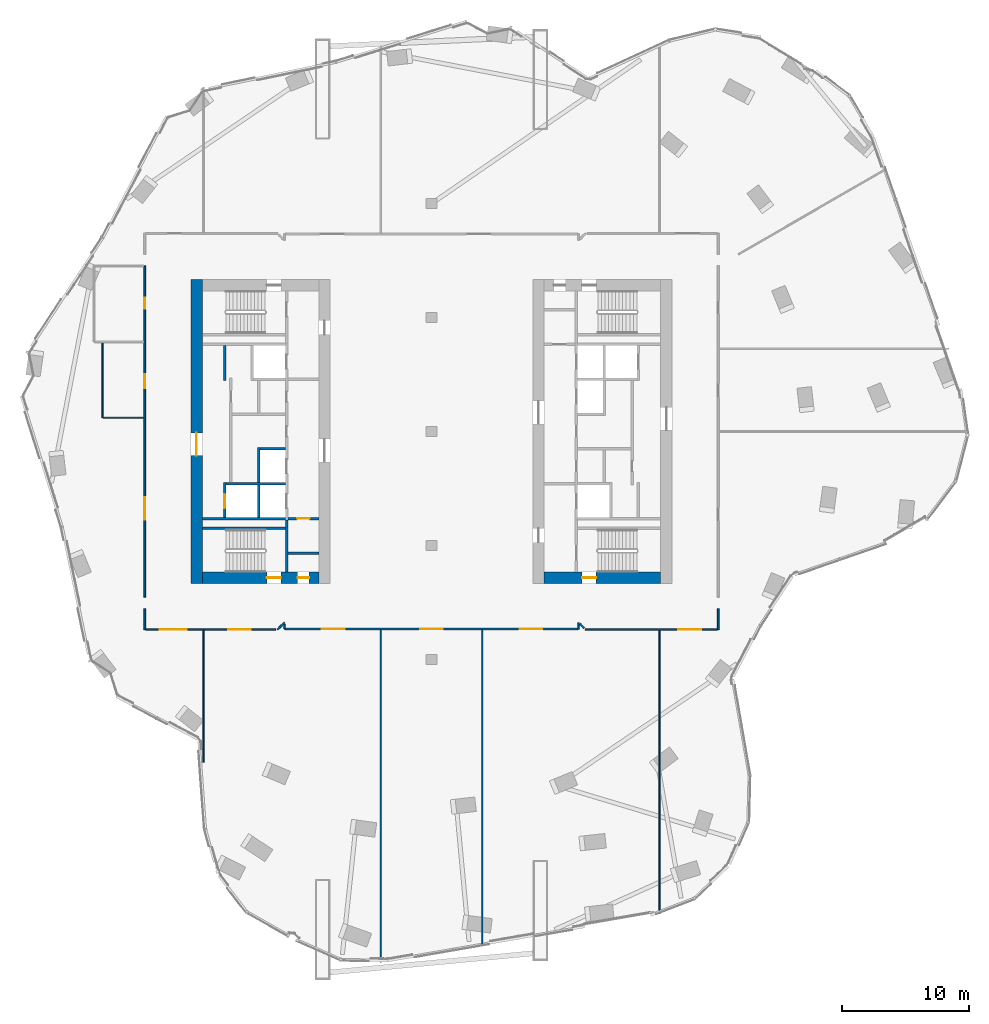
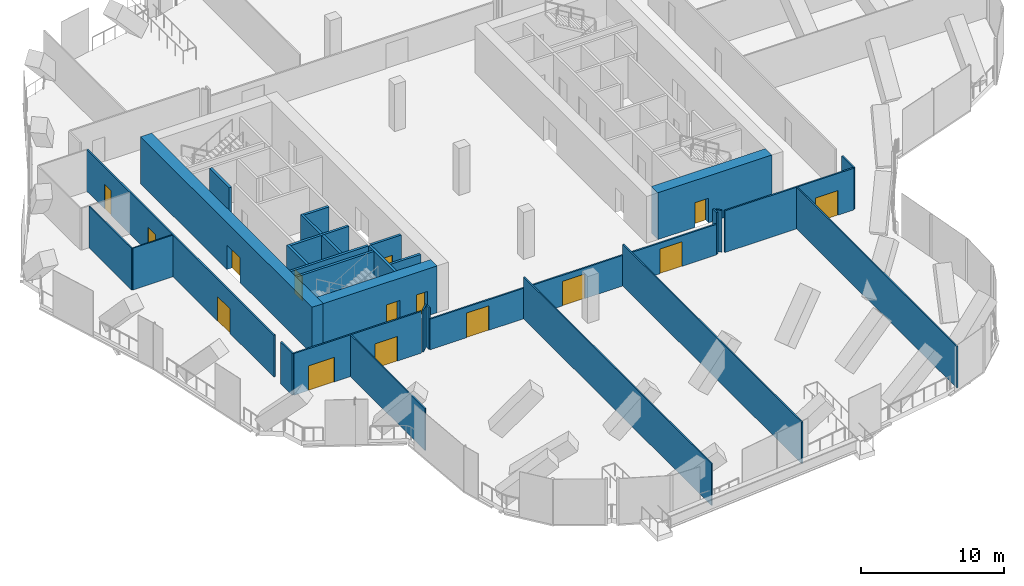
# One storey, part 18 of 26: 30 walls, 15 doors, 15 openings.
"""IFC4 building model written with IfcOpenShell, lengths in metres."""

from ifc_helpers import new_model, si_unit, direction, frame, frame_2d, origin, place, context, subcontext, project, spatial, rectangle, extrude, material, layer, layer_set, type_object, element, fill, save


model = new_model("IFC4")

# Units and contexts
model_context = context("Model", 3, precision=1e-05, world=origin(), true_north=direction((0.0, 1.0)))
body_context = subcontext(model_context, "Body", "Model", "MODEL_VIEW")
ifc_project = project(units=[si_unit("LENGTHUNIT", "METRE"), si_unit("AREAUNIT", "SQUARE_METRE"), si_unit("VOLUMEUNIT", "CUBIC_METRE"), si_unit("PLANEANGLEUNIT", "RADIAN"), si_unit("MASSUNIT", "GRAM", prefix="KILO")], contexts=[model_context])

# Site, building, storey
site_placement = place(None, origin())
site = spatial("IfcSite", under=ifc_project, at=site_placement, CompositionType="ELEMENT")
building_placement = place(site_placement, origin())
building = spatial("IfcBuilding", under=site, at=building_placement, Name="Orlundy Tower", CompositionType="ELEMENT")
storey_placement = place(building_placement, frame((0.0, 0.0, 249.5)))
storey = spatial("IfcBuildingStorey", under=building, at=storey_placement, Name="L66", CompositionType="ELEMENT", Elevation=249.5)

# Wall, openings, doors
ifc_material_1 = material(Name="Concrete C60/75", Category="concrete")
ifc_layer_1 = layer(ifc_material_1, 0.89990234375)
ifc_layer_set_1 = layer_set([ifc_layer_1], Name="CORE WALL 900 C60/75")
wall_type_1 = type_object("IfcWallType", Name="CORE WALL 900 C60/75", PredefinedType="SHEAR", material=ifc_layer_set_1)
wall_1_placement = place(storey_placement, frame((-18.10009765625, -11.550048828125, 0.0), z_axis=(0.0, 0.0, 1.0), x_axis=(1.0, 0.0, 0.0)))
wall_1 = element("IfcWall", 1, at=wall_1_placement, inside=storey, type_object=wall_type_1, Name="Core wall W-S L66", PredefinedType="SHEAR", context=body_context, shape_type="SweptSolid", body=[
    extrude(rectangle(XDim=9.2001953125, YDim=0.89990234375, at=frame_2d((4.60009765625, 0.0))), origin(), (0.0, 0.0, 1.0), 4.0),
])
opening_1_placement = place(wall_1_placement, frame((5.10009765625, 0.0, 0.0)))
opening_1 = element("IfcOpeningElement", 2, at=opening_1_placement, cuts=wall_1, Name="Opening 50012", PredefinedType="OPENING", context=body_context, shape_type="SweptSolid", body=[
    extrude(rectangle(XDim=1.10009765625, YDim=2.10009765625, at=frame_2d((0.550048828125, 1.050048828125))), frame((0.0, 0.4599609375, 0.0), z_axis=(0.0, -1.0, 0.0), x_axis=(1.0, 0.0, 0.0)), (0.0, 0.0, 1.0), 0.919921875),
])
opening_2_placement = place(wall_1_placement, frame((7.530029296875, 0.0, 0.0)))
opening_2 = element("IfcOpeningElement", 3, at=opening_2_placement, cuts=wall_1, Name="Opening 50014", PredefinedType="OPENING", context=body_context, shape_type="SweptSolid", body=[
    extrude(rectangle(XDim=0.89990234375, YDim=2.10009765625, at=frame_2d((0.449951171875, 1.050048828125))), frame((0.0, 0.4599609375, 0.0), z_axis=(0.0, -1.0, 0.0), x_axis=(1.0, 0.0, 0.0)), (0.0, 0.0, 1.0), 0.919921875),
])
ifc_material_2 = material(Name="Timber door set", Category="wood")
door_type_1 = type_object("IfcDoorType", Name="Room Door 900x2100", OperationType="SINGLE_SWING_LEFT", PredefinedType="DOOR", material=ifc_material_2)
door_1_placement = place(opening_2_placement, origin())
door_1 = element("IfcDoor", 4, at=door_1_placement, inside=storey, type_object=door_type_1, Name="Store door 50014", OperationType="SINGLE_SWING_RIGHT", OverallHeight=2.10009765625, OverallWidth=0.89990234375, PredefinedType="DOOR", context=body_context, shape_type="SweptSolid", body=[
    extrude(rectangle(XDim=0.89990234375, YDim=2.10009765625, at=frame_2d((0.449951171875, 1.050048828125))), frame((0.0, 0.02490234375, 0.0), z_axis=(0.0, -1.0, 0.0), x_axis=(1.0, 0.0, 0.0)), (0.0, 0.0, 1.0), 0.050048828125),
])
fill(opening_2, door_1)
ifc_material_3 = material(Name="Steel door set", Category="steel")
door_type_2 = type_object("IfcDoorType", Name="Stair Door 1100x2100", OperationType="SINGLE_SWING_LEFT", PredefinedType="DOOR", material=ifc_material_3)
door_2_placement = place(opening_1_placement, origin())
door_2 = element("IfcDoor", 5, at=door_2_placement, inside=storey, type_object=door_type_2, Name="Stair door 50012", OperationType="SINGLE_SWING_RIGHT", OverallHeight=2.10009765625, OverallWidth=1.10009765625, PredefinedType="DOOR", context=body_context, shape_type="SweptSolid", body=[
    extrude(rectangle(XDim=1.10009765625, YDim=2.10009765625, at=frame_2d((0.550048828125, 1.050048828125))), frame((0.0, 0.02490234375, 0.0), z_axis=(0.0, -1.0, 0.0), x_axis=(1.0, 0.0, 0.0)), (0.0, 0.0, 1.0), 0.050048828125),
])
fill(opening_1, door_2)

# Wall, opening, door
wall_2_placement = place(storey_placement, frame((-18.550048828125, -12.0, 0.0), z_axis=(0.0, 0.0, 1.0), x_axis=(0.0, 1.0, 0.0)))
wall_2 = element("IfcWall", 6, at=wall_2_placement, inside=storey, type_object=wall_type_1, Name="Core wall W-W L66", PredefinedType="SHEAR", context=body_context, shape_type="SweptSolid", body=[
    extrude(rectangle(XDim=24.0, YDim=0.89990234375, at=frame_2d((12.0, 0.0))), origin(), (0.0, 0.0, 1.0), 4.0),
])
opening_3_placement = place(wall_2_placement, frame((10.10009765625, 0.0, 0.0)))
opening_3 = element("IfcOpeningElement", 7, at=opening_3_placement, cuts=wall_2, Name="Opening 50009", PredefinedType="OPENING", context=body_context, shape_type="SweptSolid", body=[
    extrude(rectangle(XDim=1.800048828125, YDim=2.10009765625, at=frame_2d((0.89990234375, 1.050048828125))), frame((0.0, 0.4599609375, 0.0), z_axis=(0.0, -1.0, 0.0), x_axis=(1.0, 0.0, 0.0)), (0.0, 0.0, 1.0), 0.919921875),
])
ifc_material_4 = material(Name="Timber door set", Category="wood")
door_type_3 = type_object("IfcDoorType", Name="Lobby Door 1800x2100", OperationType="DOUBLE_DOOR_DOUBLE_SWING", PredefinedType="DOOR", material=ifc_material_4)
door_3_placement = place(opening_3_placement, origin())
door_3 = element("IfcDoor", 8, at=door_3_placement, inside=storey, type_object=door_type_3, Name="Lift lobby door 50009", OperationType="SINGLE_SWING_LEFT", OverallHeight=2.10009765625, OverallWidth=1.800048828125, PredefinedType="DOOR", context=body_context, shape_type="SweptSolid", body=[
    extrude(rectangle(XDim=1.800048828125, YDim=2.10009765625, at=frame_2d((0.89990234375, 1.050048828125))), frame((0.0, 0.02490234375, 0.0), z_axis=(0.0, -1.0, 0.0), x_axis=(1.0, 0.0, 0.0)), (0.0, 0.0, 1.0), 0.050048828125),
])
fill(opening_3, door_3)

wall_3_placement = place(storey_placement, frame((8.89990234375, -11.550048828125, 0.0), z_axis=(0.0, 0.0, 1.0), x_axis=(1.0, 0.0, 0.0)))
wall_3 = element("IfcWall", 9, at=wall_3_placement, inside=storey, type_object=wall_type_1, Name="Core wall E-S L66", PredefinedType="SHEAR", context=body_context, shape_type="SweptSolid", body=[
    extrude(rectangle(XDim=9.2001953125, YDim=0.89990234375, at=frame_2d((4.60009765625, 0.0))), origin(), (0.0, 0.0, 1.0), 4.0),
])
opening_4_placement = place(wall_3_placement, frame((3.0, 0.0, 0.0)))
opening_4 = element("IfcOpeningElement", 10, at=opening_4_placement, cuts=wall_3, Name="Opening 50060", PredefinedType="OPENING", context=body_context, shape_type="SweptSolid", body=[
    extrude(rectangle(XDim=1.10009765625, YDim=2.10009765625, at=frame_2d((0.550048828125, 1.050048828125))), frame((0.0, 0.4599609375, 0.0), z_axis=(0.0, -1.0, 0.0), x_axis=(1.0, 0.0, 0.0)), (0.0, 0.0, 1.0), 0.919921875),
])
door_4_placement = place(opening_4_placement, origin())
door_4 = element("IfcDoor", 11, at=door_4_placement, inside=storey, type_object=door_type_2, Name="Stair door 50060", OperationType="SINGLE_SWING_LEFT", OverallHeight=2.10009765625, OverallWidth=1.10009765625, PredefinedType="DOOR", context=body_context, shape_type="SweptSolid", body=[
    extrude(rectangle(XDim=1.10009765625, YDim=2.10009765625, at=frame_2d((0.550048828125, 1.050048828125))), frame((0.0, 0.02490234375, 0.0), z_axis=(0.0, -1.0, 0.0), x_axis=(1.0, 0.0, 0.0)), (0.0, 0.0, 1.0), 0.050048828125),
])
fill(opening_4, door_4)

# Walls
ifc_material_5 = material(Name="Gypsum board partition")
ifc_layer_2 = layer(ifc_material_5, 0.10009765625)
ifc_layer_set_2 = layer_set([ifc_layer_2], Name="Floor partition 100")
wall_type_2 = type_object("IfcWallType", Name="Floor partition 100", PredefinedType="PARTITIONING", material=ifc_layer_set_2)
wall_4_placement = place(storey_placement, frame((-25.930908203125, 1.077880859375, 0.0), z_axis=(0.0, 0.0, 1.0), x_axis=(1.0, 0.0, 0.0)))
element("IfcWall", 12, at=wall_4_placement, inside=storey, type_object=wall_type_2, Name="wall-int-L66-008", PredefinedType="PARTITIONING", context=body_context, shape_type="SweptSolid", body=[
    extrude(rectangle(XDim=3.218994140625, YDim=0.10009765625, at=frame_2d((1.609375, 0.0))), origin(), (0.0, 0.0, 1.0), 3.56005859375),
])
wall_5_placement = place(storey_placement, frame((18.0, -38.094970703125, 0.0), z_axis=(0.0, 0.0, 1.0), x_axis=(0.0, 1.0, 0.0)))
element("IfcWall", 13, at=wall_5_placement, inside=storey, type_object=wall_type_2, Name="wall-int-L66-022", PredefinedType="PARTITIONING", context=body_context, shape_type="SweptSolid", body=[
    extrude(rectangle(XDim=22.382080078125, YDim=0.10009765625, at=frame_2d((11.19091796875, 0.0))), origin(), (0.0, 0.0, 1.0), 3.56005859375),
])
wall_6_placement = place(storey_placement, frame((4.0, -40.6640625, 0.0), z_axis=(0.0, 0.0, 1.0), x_axis=(0.0, 1.0, 0.0)))
element("IfcWall", 14, at=wall_6_placement, inside=storey, type_object=wall_type_2, Name="wall-int-L66-026", PredefinedType="PARTITIONING", context=body_context, shape_type="SweptSolid", body=[
    extrude(rectangle(XDim=25.001953125, YDim=0.10009765625, at=frame_2d((12.5009765625, 0.0))), origin(), (0.0, 0.0, 1.0), 3.56005859375),
])
wall_7_placement = place(storey_placement, frame((-4.0, -41.93505859375, 0.0), z_axis=(0.0, 0.0, 1.0), x_axis=(0.0, 1.0, 0.0)))
element("IfcWall", 15, at=wall_7_placement, inside=storey, type_object=wall_type_2, Name="wall-int-L66-027", PredefinedType="PARTITIONING", context=body_context, shape_type="SweptSolid", body=[
    extrude(rectangle(XDim=26.27294921875, YDim=0.10009765625, at=frame_2d((13.136474609375, 0.0))), origin(), (0.0, 0.0, 1.0), 3.56005859375),
])
wall_8_placement = place(storey_placement, frame((-18.0, -26.112060546875, 0.0), z_axis=(0.0, 0.0, 1.0), x_axis=(0.0, 1.0, 0.0)))
element("IfcWall", 16, at=wall_8_placement, inside=storey, type_object=wall_type_2, Name="wall-int-L66-029", PredefinedType="PARTITIONING", context=body_context, shape_type="SweptSolid", body=[
    extrude(rectangle(XDim=10.399169921875, YDim=0.10009765625, at=frame_2d((5.19970703125, 0.0))), origin(), (0.0, 0.0, 1.0), 3.56005859375),
])
wall_9_placement = place(storey_placement, frame((-25.98193359375, 1.0791015625, 0.0), z_axis=(0.0, 0.0, 1.0), x_axis=(0.0, 1.0, 0.0)))
element("IfcWall", 17, at=wall_9_placement, inside=storey, type_object=wall_type_2, Name="wall-int-L66-034", PredefinedType="PARTITIONING", context=body_context, shape_type="SweptSolid", body=[
    extrude(rectangle(XDim=5.948974609375, YDim=0.10009765625, at=frame_2d((2.974609375, 0.0))), origin(), (0.0, 0.0, 1.0), 3.56005859375),
])
ifc_material_6 = material(Name="Gypsum board partition, double layer")
ifc_layer_3 = layer(ifc_material_6, 0.125)
ifc_layer_set_3 = layer_set([ifc_layer_3], Name="Floor partition 125")
wall_type_3 = type_object("IfcWallType", Name="Floor partition 125", PredefinedType="PARTITIONING", material=ifc_layer_set_3)
wall_10_placement = place(storey_placement, frame((-11.60107421875, -15.241943359375, 0.0), z_axis=(0.0, 0.0, 1.0), x_axis=(0.002734097778, -0.999996262348, 0.0)))
element("IfcWall", 18, at=wall_10_placement, inside=storey, type_object=wall_type_3, Name="wall-int-L66-001", PredefinedType="PARTITIONING", context=body_context, shape_type="SweptSolid", body=[
    extrude(rectangle(XDim=0.357177734375, YDim=0.125, at=frame_2d((0.1787109375, 0.0))), origin(), (0.0, 0.0, 1.0), 3.56005859375),
])
wall_11_placement = place(storey_placement, frame((11.72998046875, -15.20703125, 0.0), z_axis=(0.0, 0.0, 1.0), x_axis=(0.707106781187, -0.707106781187, 0.0)))
element("IfcWall", 19, at=wall_11_placement, inside=storey, type_object=wall_type_3, Name="wall-int-L66-002", PredefinedType="PARTITIONING", context=body_context, shape_type="SweptSolid", body=[
    extrude(rectangle(XDim=0.44677734375, YDim=0.125, at=frame_2d((0.223388671875, 0.0))), origin(), (0.0, 0.0, 1.0), 3.56005859375),
])

# Wall, openings, doors
wall_12_placement = place(storey_placement, frame((-12.31103515625, -15.65087890625, 0.0), z_axis=(0.0, 0.0, 1.0), x_axis=(-1.0, 0.0, 0.0)))
wall_12 = element("IfcWall", 20, at=wall_12_placement, inside=storey, type_object=wall_type_3, Name="wall-int-L66-004", PredefinedType="PARTITIONING", context=body_context, shape_type="SweptSolid", body=[
    extrude(rectangle(XDim=10.27587890625, YDim=0.125, at=frame_2d((5.137939453125, 0.0))), origin(), (0.0, 0.0, 1.0), 3.56005859375),
])
opening_5_placement = place(wall_12_placement, frame((7.0390625, 0.0, 0.0)))
opening_5 = element("IfcOpeningElement", 21, at=opening_5_placement, cuts=wall_12, Name="Opening 50100", PredefinedType="OPENING", context=body_context, shape_type="SweptSolid", body=[
    extrude(rectangle(XDim=2.10009765625, YDim=2.10009765625, at=frame_2d((1.050048828125, 1.050048828125))), frame((0.0, 0.072509765625, 0.0), z_axis=(0.0, -1.0, 0.0), x_axis=(1.0, 0.0, 0.0)), (0.0, 0.0, 1.0), 0.14501953125),
])
opening_6_placement = place(wall_12_placement, frame((1.94921875, 0.0, 0.0)))
opening_6 = element("IfcOpeningElement", 22, at=opening_6_placement, cuts=wall_12, Name="Opening 50101", PredefinedType="OPENING", context=body_context, shape_type="SweptSolid", body=[
    extrude(rectangle(XDim=1.800048828125, YDim=2.10009765625, at=frame_2d((0.89990234375, 1.050048828125))), frame((0.0, 0.072509765625, 0.0), z_axis=(0.0, -1.0, 0.0), x_axis=(1.0, 0.0, 0.0)), (0.0, 0.0, 1.0), 0.14501953125),
])
ifc_material_7 = material(Name="Timber door leaf", Category="wood")
door_type_4 = type_object("IfcDoorType", Name="Floor door double 1800 FD30S", OperationType="NOTDEFINED", PredefinedType="DOOR", material=ifc_material_7)
door_5_placement = place(opening_6_placement, origin())
door_5 = element("IfcDoor", 23, at=door_5_placement, inside=storey, type_object=door_type_4, Name="Door 50101", OperationType="DOUBLE_DOOR_SINGLE_SWING", OverallHeight=2.10009765625, OverallWidth=1.800048828125, PredefinedType="DOOR", context=body_context, shape_type="SweptSolid", body=[
    extrude(rectangle(XDim=1.800048828125, YDim=2.10009765625, at=frame_2d((0.89990234375, 1.050048828125))), frame((0.0, 0.02490234375, 0.0), z_axis=(0.0, -1.0, 0.0), x_axis=(1.0, 0.0, 0.0)), (0.0, 0.0, 1.0), 0.050048828125),
])
fill(opening_6, door_5)
ifc_material_8 = material(Name="Timber door leaf", Category="wood")
door_type_5 = type_object("IfcDoorType", Name="Floor door double 2100 FD30S", OperationType="NOTDEFINED", PredefinedType="DOOR", material=ifc_material_8)
door_6_placement = place(opening_5_placement, origin())
door_6 = element("IfcDoor", 24, at=door_6_placement, inside=storey, type_object=door_type_5, Name="Door 50100", OperationType="DOUBLE_DOOR_SINGLE_SWING", OverallHeight=2.10009765625, OverallWidth=2.10009765625, PredefinedType="DOOR", context=body_context, shape_type="SweptSolid", body=[
    extrude(rectangle(XDim=2.10009765625, YDim=2.10009765625, at=frame_2d((1.050048828125, 1.050048828125))), frame((0.0, 0.02490234375, 0.0), z_axis=(0.0, -1.0, 0.0), x_axis=(1.0, 0.0, 0.0)), (0.0, 0.0, 1.0), 0.050048828125),
])
fill(opening_5, door_6)

# Wall, opening, door
wall_13_placement = place(storey_placement, frame((22.5869140625, -15.65087890625, 0.0), z_axis=(0.0, 0.0, 1.0), x_axis=(-1.0, 0.0, 0.0)))
wall_13 = element("IfcWall", 25, at=wall_13_placement, inside=storey, type_object=wall_type_3, Name="wall-int-L66-005", PredefinedType="PARTITIONING", context=body_context, shape_type="SweptSolid", body=[
    extrude(rectangle(XDim=10.426025390625, YDim=0.125, at=frame_2d((5.212890625, 0.0))), origin(), (0.0, 0.0, 1.0), 3.56005859375),
])
opening_7_placement = place(wall_13_placement, frame((1.28759765625, 0.0, 0.0)))
opening_7 = element("IfcOpeningElement", 26, at=opening_7_placement, cuts=wall_13, Name="Opening 50105", PredefinedType="OPENING", context=body_context, shape_type="SweptSolid", body=[
    extrude(rectangle(XDim=1.800048828125, YDim=2.10009765625, at=frame_2d((0.89990234375, 1.050048828125))), frame((0.0, 0.072509765625, 0.0), z_axis=(0.0, -1.0, 0.0), x_axis=(1.0, 0.0, 0.0)), (0.0, 0.0, 1.0), 0.14501953125),
])
door_7_placement = place(opening_7_placement, origin())
door_7 = element("IfcDoor", 27, at=door_7_placement, inside=storey, type_object=door_type_4, Name="Door 50105", OperationType="DOUBLE_DOOR_SINGLE_SWING", OverallHeight=2.10009765625, OverallWidth=1.800048828125, PredefinedType="DOOR", context=body_context, shape_type="SweptSolid", body=[
    extrude(rectangle(XDim=1.800048828125, YDim=2.10009765625, at=frame_2d((0.89990234375, 1.050048828125))), frame((0.0, 0.02490234375, 0.0), z_axis=(0.0, -1.0, 0.0), x_axis=(1.0, 0.0, 0.0)), (0.0, 0.0, 1.0), 0.050048828125),
])
fill(opening_7, door_7)

# Walls
wall_14_placement = place(storey_placement, frame((-12.153076171875, -15.6298828125, 0.0), z_axis=(0.0, 0.0, 1.0), x_axis=(0.707269652718, 0.706943872132, 0.0)))
element("IfcWall", 28, at=wall_14_placement, inside=storey, type_object=wall_type_3, Name="wall-int-L66-016", PredefinedType="PARTITIONING", context=body_context, shape_type="SweptSolid", body=[
    extrude(rectangle(XDim=0.74951171875, YDim=0.125, at=frame_2d((0.374755859375, 0.0))), origin(), (0.0, 0.0, 1.0), 3.56005859375),
])
wall_15_placement = place(storey_placement, frame((22.64990234375, -15.65087890625, 0.0), z_axis=(0.0, 0.0, 1.0), x_axis=(0.0, 1.0, 0.0)))
element("IfcWall", 29, at=wall_15_placement, inside=storey, type_object=wall_type_3, Name="wall-int-L66-019", PredefinedType="PARTITIONING", context=body_context, shape_type="SweptSolid", body=[
    extrude(rectangle(XDim=1.65087890625, YDim=0.125, at=frame_2d((0.825439453125, 0.0))), origin(), (0.0, 0.0, 1.0), 3.56005859375),
])
wall_16_placement = place(storey_placement, frame((11.60107421875, -15.60009765625, 0.0), z_axis=(0.0, 0.0, 1.0), x_axis=(0.0, 1.0, 0.0)))
element("IfcWall", 30, at=wall_16_placement, inside=storey, type_object=wall_type_3, Name="wall-int-L66-024", PredefinedType="PARTITIONING", context=body_context, shape_type="SweptSolid", body=[
    extrude(rectangle(XDim=0.508056640625, YDim=0.125, at=frame_2d((0.25390625, 0.0))), origin(), (0.0, 0.0, 1.0), 3.56005859375),
])
wall_17_placement = place(storey_placement, frame((-22.64990234375, -15.65087890625, 0.0), z_axis=(0.0, 0.0, 1.0), x_axis=(0.0, 1.0, 0.0)))
element("IfcWall", 31, at=wall_17_placement, inside=storey, type_object=wall_type_3, Name="wall-int-L66-031", PredefinedType="PARTITIONING", context=body_context, shape_type="SweptSolid", body=[
    extrude(rectangle(XDim=1.65087890625, YDim=0.125, at=frame_2d((0.825439453125, 0.0))), origin(), (0.0, 0.0, 1.0), 3.56005859375),
])

# Wall, openings, doors
wall_18_placement = place(storey_placement, frame((-22.64990234375, -13.076904296875, 0.0), z_axis=(0.0, 0.0, 1.0), x_axis=(0.0, 1.0, 0.0)))
wall_18 = element("IfcWall", 32, at=wall_18_placement, inside=storey, type_object=wall_type_3, Name="wall-int-L66-032", PredefinedType="PARTITIONING", context=body_context, shape_type="SweptSolid", body=[
    extrude(rectangle(XDim=26.15380859375, YDim=0.125, at=frame_2d((13.076904296875, 0.0))), origin(), (0.0, 0.0, 1.0), 3.56005859375),
])
opening_8_placement = place(wall_18_placement, frame((6.10009765625, 0.0, 0.0)))
opening_8 = element("IfcOpeningElement", 33, at=opening_8_placement, cuts=wall_18, Name="Opening 50113", PredefinedType="OPENING", context=body_context, shape_type="SweptSolid", body=[
    extrude(rectangle(XDim=1.800048828125, YDim=2.10009765625, at=frame_2d((0.89990234375, 1.050048828125))), frame((0.0, 0.072509765625, 0.0), z_axis=(0.0, -1.0, 0.0), x_axis=(1.0, 0.0, 0.0)), (0.0, 0.0, 1.0), 0.14501953125),
])
opening_9_placement = place(wall_18_placement, frame((22.7548828125, 0.0, 0.0)))
opening_9 = element("IfcOpeningElement", 34, at=opening_9_placement, cuts=wall_18, Name="Opening 50114", PredefinedType="OPENING", context=body_context, shape_type="SweptSolid", body=[
    extrude(rectangle(XDim=0.89990234375, YDim=2.10009765625, at=frame_2d((0.449951171875, 1.050048828125))), frame((0.0, 0.072509765625, 0.0), z_axis=(0.0, -1.0, 0.0), x_axis=(1.0, 0.0, 0.0)), (0.0, 0.0, 1.0), 0.14501953125),
])
opening_10_placement = place(wall_18_placement, frame((16.506103515625, 0.0, 0.0)))
opening_10 = element("IfcOpeningElement", 35, at=opening_10_placement, cuts=wall_18, Name="Opening 50115", PredefinedType="OPENING", context=body_context, shape_type="SweptSolid", body=[
    extrude(rectangle(XDim=1.10009765625, YDim=2.10009765625, at=frame_2d((0.550048828125, 1.050048828125))), frame((0.0, 0.072509765625, 0.0), z_axis=(0.0, -1.0, 0.0), x_axis=(1.0, 0.0, 0.0)), (0.0, 0.0, 1.0), 0.14501953125),
])
door_8_placement = place(opening_8_placement, origin())
door_8 = element("IfcDoor", 36, at=door_8_placement, inside=storey, type_object=door_type_4, Name="Door 50113", OperationType="DOUBLE_DOOR_SINGLE_SWING", OverallHeight=2.10009765625, OverallWidth=1.800048828125, PredefinedType="DOOR", context=body_context, shape_type="SweptSolid", body=[
    extrude(rectangle(XDim=1.800048828125, YDim=2.10009765625, at=frame_2d((0.89990234375, 1.050048828125))), frame((0.0, 0.02490234375, 0.0), z_axis=(0.0, -1.0, 0.0), x_axis=(1.0, 0.0, 0.0)), (0.0, 0.0, 1.0), 0.050048828125),
])
fill(opening_8, door_8)
ifc_material_9 = material(Name="Timber door leaf", Category="wood")
door_type_6 = type_object("IfcDoorType", Name="Floor door single 900 FD30S", OperationType="NOTDEFINED", PredefinedType="DOOR", material=ifc_material_9)
door_9_placement = place(opening_9_placement, origin())
door_9 = element("IfcDoor", 37, at=door_9_placement, inside=storey, type_object=door_type_6, Name="Door 50114", OperationType="SINGLE_SWING_RIGHT", OverallHeight=2.10009765625, OverallWidth=0.89990234375, PredefinedType="DOOR", context=body_context, shape_type="SweptSolid", body=[
    extrude(rectangle(XDim=0.89990234375, YDim=2.10009765625, at=frame_2d((0.449951171875, 1.050048828125))), frame((0.0, 0.02490234375, 0.0), z_axis=(0.0, -1.0, 0.0), x_axis=(1.0, 0.0, 0.0)), (0.0, 0.0, 1.0), 0.050048828125),
])
fill(opening_9, door_9)
ifc_material_10 = material(Name="Timber door leaf", Category="wood")
door_type_7 = type_object("IfcDoorType", Name="Floor door xwide 1100 FD30S", OperationType="NOTDEFINED", PredefinedType="DOOR", material=ifc_material_10)
door_10_placement = place(opening_10_placement, origin())
door_10 = element("IfcDoor", 38, at=door_10_placement, inside=storey, type_object=door_type_7, Name="Door 50115", OperationType="SINGLE_SWING_RIGHT", OverallHeight=2.10009765625, OverallWidth=1.10009765625, PredefinedType="DOOR", context=body_context, shape_type="SweptSolid", body=[
    extrude(rectangle(XDim=1.10009765625, YDim=2.10009765625, at=frame_2d((0.550048828125, 1.050048828125))), frame((0.0, 0.02490234375, 0.0), z_axis=(0.0, -1.0, 0.0), x_axis=(1.0, 0.0, 0.0)), (0.0, 0.0, 1.0), 0.050048828125),
])
fill(opening_10, door_10)

ifc_material_11 = material(Name="Gypsum board partition, double layer")
ifc_layer_4 = layer(ifc_material_11, 0.125)
ifc_layer_set_4 = layer_set([ifc_layer_4], Name="Floor partition 125 B")
wall_type_4 = type_object("IfcWallType", Name="Floor partition 125 B", PredefinedType="PARTITIONING", material=ifc_layer_set_4)
wall_19_placement = place(storey_placement, frame((11.5390625, -15.60009765625, 0.0), z_axis=(0.0, 0.0, 1.0), x_axis=(-1.0, 0.0, 0.0)))
wall_19 = element("IfcWall", 39, at=wall_19_placement, inside=storey, type_object=wall_type_4, Name="wall-int-L66-006", PredefinedType="PARTITIONING", context=body_context, shape_type="SweptSolid", body=[
    extrude(rectangle(XDim=23.13818359375, YDim=0.125, at=frame_2d((11.569091796875, 0.0))), origin(), (0.0, 0.0, 1.0), 2.61279296875),
])
opening_11_placement = place(wall_19_placement, frame((18.388427734375, 0.0, 0.0)))
opening_11 = element("IfcOpeningElement", 40, at=opening_11_placement, cuts=wall_19, Name="Opening 50102", PredefinedType="OPENING", context=body_context, shape_type="SweptSolid", body=[
    extrude(rectangle(XDim=1.800048828125, YDim=2.10009765625, at=frame_2d((0.89990234375, 1.050048828125))), frame((0.0, 0.072509765625, 0.0), z_axis=(0.0, -1.0, 0.0), x_axis=(1.0, 0.0, 0.0)), (0.0, 0.0, 1.0), 0.14501953125),
])
opening_12_placement = place(wall_19_placement, frame((10.638427734375, 0.0, 0.0)))
opening_12 = element("IfcOpeningElement", 41, at=opening_12_placement, cuts=wall_19, Name="Opening 50103", PredefinedType="OPENING", context=body_context, shape_type="SweptSolid", body=[
    extrude(rectangle(XDim=1.800048828125, YDim=2.10009765625, at=frame_2d((0.89990234375, 1.050048828125))), frame((0.0, 0.072509765625, 0.0), z_axis=(0.0, -1.0, 0.0), x_axis=(1.0, 0.0, 0.0)), (0.0, 0.0, 1.0), 0.14501953125),
])
opening_13_placement = place(wall_19_placement, frame((2.78759765625, 0.0, 0.0)))
opening_13 = element("IfcOpeningElement", 42, at=opening_13_placement, cuts=wall_19, Name="Opening 50104", PredefinedType="OPENING", context=body_context, shape_type="SweptSolid", body=[
    extrude(rectangle(XDim=1.800048828125, YDim=2.10009765625, at=frame_2d((0.89990234375, 1.050048828125))), frame((0.0, 0.072509765625, 0.0), z_axis=(0.0, -1.0, 0.0), x_axis=(1.0, 0.0, 0.0)), (0.0, 0.0, 1.0), 0.14501953125),
])
door_11_placement = place(opening_11_placement, origin())
door_11 = element("IfcDoor", 43, at=door_11_placement, inside=storey, type_object=door_type_4, Name="Door 50102", OperationType="DOUBLE_DOOR_SINGLE_SWING", OverallHeight=2.10009765625, OverallWidth=1.800048828125, PredefinedType="DOOR", context=body_context, shape_type="SweptSolid", body=[
    extrude(rectangle(XDim=1.800048828125, YDim=2.10009765625, at=frame_2d((0.89990234375, 1.050048828125))), frame((0.0, 0.02490234375, 0.0), z_axis=(0.0, -1.0, 0.0), x_axis=(1.0, 0.0, 0.0)), (0.0, 0.0, 1.0), 0.050048828125),
])
fill(opening_11, door_11)
door_12_placement = place(opening_12_placement, origin())
door_12 = element("IfcDoor", 44, at=door_12_placement, inside=storey, type_object=door_type_4, Name="Door 50103", OperationType="DOUBLE_DOOR_SINGLE_SWING", OverallHeight=2.10009765625, OverallWidth=1.800048828125, PredefinedType="DOOR", context=body_context, shape_type="SweptSolid", body=[
    extrude(rectangle(XDim=1.800048828125, YDim=2.10009765625, at=frame_2d((0.89990234375, 1.050048828125))), frame((0.0, 0.02490234375, 0.0), z_axis=(0.0, -1.0, 0.0), x_axis=(1.0, 0.0, 0.0)), (0.0, 0.0, 1.0), 0.050048828125),
])
fill(opening_12, door_12)
door_13_placement = place(opening_13_placement, origin())
door_13 = element("IfcDoor", 45, at=door_13_placement, inside=storey, type_object=door_type_4, Name="Door 50104", OperationType="DOUBLE_DOOR_SINGLE_SWING", OverallHeight=2.10009765625, OverallWidth=1.800048828125, PredefinedType="DOOR", context=body_context, shape_type="SweptSolid", body=[
    extrude(rectangle(XDim=1.800048828125, YDim=2.10009765625, at=frame_2d((0.89990234375, 1.050048828125))), frame((0.0, 0.02490234375, 0.0), z_axis=(0.0, -1.0, 0.0), x_axis=(1.0, 0.0, 0.0)), (0.0, 0.0, 1.0), 0.050048828125),
])
fill(opening_13, door_13)

# Walls
ifc_material_12 = material(Name="Concrete C40/50", Category="concrete")
ifc_layer_5 = layer(ifc_material_12, 0.199951171875)
ifc_layer_set_5 = layer_set([ifc_layer_5], Name="Load-bearing Shaft Wall 200")
wall_type_5 = type_object("IfcWallType", Name="Load-bearing Shaft Wall 200", PredefinedType="SOLIDWALL", material=ifc_layer_set_5)
wall_20_placement = place(storey_placement, frame((-11.43994140625, -11.10009765625, 0.0), z_axis=(0.0, 0.0, 1.0), x_axis=(0.0, 1.0, 0.0)))
element("IfcWall", 46, at=wall_20_placement, inside=storey, type_object=wall_type_5, Name="Shaft wall W50-stair-end-s", PredefinedType="SOLIDWALL", context=body_context, shape_type="SweptSolid", body=[
    extrude(rectangle(XDim=4.125, YDim=0.199951171875, at=frame_2d((2.0625, 0.0))), origin(), (0.0, 0.0, 1.0), 3.580078125),
])
wall_21_placement = place(storey_placement, frame((-11.5400390625, -7.64990234375, 0.0), z_axis=(0.0, 0.0, 1.0), x_axis=(-1.0, 0.0, 0.0)))
element("IfcWall", 47, at=wall_21_placement, inside=storey, type_object=wall_type_5, Name="Shaft wall W50-stair-side-s", PredefinedType="SOLIDWALL", context=body_context, shape_type="SweptSolid", body=[
    extrude(rectangle(XDim=6.56005859375, YDim=0.199951171875, at=frame_2d((3.280029296875, 0.0))), origin(), (0.0, 0.0, 1.0), 3.580078125),
])

# Wall, opening, door
ifc_material_13 = material(Name="Gypsum board partition on steel studs", Category="steel")
ifc_layer_6 = layer(ifc_material_13, 0.199951171875)
ifc_layer_set_6 = layer_set([ifc_layer_6], Name="Partition 200")
wall_type_6 = type_object("IfcWallType", Name="Partition 200", PredefinedType="PARTITIONING", material=ifc_layer_set_6)
wall_22_placement = place(storey_placement, frame((-8.89990234375, -6.875, 0.0), z_axis=(0.0, 0.0, 1.0), x_axis=(-1.0, 0.0, 0.0)))
wall_22 = element("IfcWall", 48, at=wall_22_placement, inside=storey, type_object=wall_type_6, Name="Partition wall W50-end-s", PredefinedType="PARTITIONING", context=body_context, shape_type="SweptSolid", body=[
    extrude(rectangle(XDim=2.440185546875, YDim=0.199951171875, at=frame_2d((1.22021484375, 0.0))), origin(), (0.0, 0.0, 1.0), 3.580078125),
])
opening_14_placement = place(wall_22_placement, frame((0.719970703125, 0.0, 0.0)))
opening_14 = element("IfcOpeningElement", 49, at=opening_14_placement, cuts=wall_22, Name="Opening 50015", PredefinedType="OPENING", context=body_context, shape_type="SweptSolid", body=[
    extrude(rectangle(XDim=1.0, YDim=2.10009765625, at=frame_2d((0.5, 1.050048828125))), frame((0.0, 0.110107421875, 0.0), z_axis=(0.0, -1.0, 0.0), x_axis=(1.0, 0.0, 0.0)), (0.0, 0.0, 1.0), 0.22021484375),
])
ifc_material_14 = material(Name="Timber door set", Category="wood")
door_type_8 = type_object("IfcDoorType", Name="Accessible Door 1000x2100", OperationType="SINGLE_SWING_LEFT", PredefinedType="DOOR", material=ifc_material_14)
door_14_placement = place(opening_14_placement, origin())
door_14 = element("IfcDoor", 50, at=door_14_placement, inside=storey, type_object=door_type_8, Name="Accessible WC door 50015", OperationType="SINGLE_SWING_RIGHT", OverallHeight=2.10009765625, OverallWidth=1.0, PredefinedType="DOOR", context=body_context, shape_type="SweptSolid", body=[
    extrude(rectangle(XDim=1.0, YDim=2.10009765625, at=frame_2d((0.5, 1.050048828125))), frame((0.0, 0.02490234375, 0.0), z_axis=(0.0, -1.0, 0.0), x_axis=(1.0, 0.0, 0.0)), (0.0, 0.0, 1.0), 0.050048828125),
])
fill(opening_14, door_14)

# Walls
wall_23_placement = place(storey_placement, frame((-8.89990234375, -9.60009765625, 0.0), z_axis=(0.0, 0.0, 1.0), x_axis=(-1.0, 0.0, 0.0)))
element("IfcWall", 51, at=wall_23_placement, inside=storey, type_object=wall_type_6, Name="Partition wall W50-room-s0", PredefinedType="PARTITIONING", context=body_context, shape_type="SweptSolid", body=[
    extrude(rectangle(XDim=2.440185546875, YDim=0.199951171875, at=frame_2d((1.22021484375, 0.0))), origin(), (0.0, 0.0, 1.0), 3.580078125),
])
ifc_material_15 = material(Name="Fire-rated blockwork shaft wall", Category="masonry")
ifc_layer_7 = layer(ifc_material_15, 0.199951171875)
ifc_layer_set_7 = layer_set([ifc_layer_7], Name="Shaft Wall 200")
wall_type_7 = type_object("IfcWallType", Name="Shaft Wall 200", PredefinedType="SOLIDWALL", material=ifc_layer_set_7)
wall_24_placement = place(storey_placement, frame((-11.5400390625, -6.875, 0.0), z_axis=(0.0, 0.0, 1.0), x_axis=(-1.0, 0.0, 0.0)))
element("IfcWall", 52, at=wall_24_placement, inside=storey, type_object=wall_type_7, Name="Shaft wall W50-zone-s", PredefinedType="SOLIDWALL", context=body_context, shape_type="SweptSolid", body=[
    extrude(rectangle(XDim=6.56005859375, YDim=0.199951171875, at=frame_2d((3.280029296875, 0.0))), origin(), (0.0, 0.0, 1.0), 3.580078125),
])
wall_25_placement = place(storey_placement, frame((-11.5400390625, -4.125, 0.0), z_axis=(0.0, 0.0, 1.0), x_axis=(-1.0, 0.0, 0.0)))
element("IfcWall", 53, at=wall_25_placement, inside=storey, type_object=wall_type_7, Name="Shaft wall W50-cross-4.125", PredefinedType="SOLIDWALL", context=body_context, shape_type="SweptSolid", body=[
    extrude(rectangle(XDim=4.699951171875, YDim=0.199951171875, at=frame_2d((2.35009765625, 0.0))), origin(), (0.0, 0.0, 1.0), 3.580078125),
])
wall_26_placement = place(storey_placement, frame((-11.5400390625, -1.375, 0.0), z_axis=(0.0, 0.0, 1.0), x_axis=(-1.0, 0.0, 0.0)))
element("IfcWall", 54, at=wall_26_placement, inside=storey, type_object=wall_type_7, Name="Shaft wall W50-cross-1.375", PredefinedType="SOLIDWALL", context=body_context, shape_type="SweptSolid", body=[
    extrude(rectangle(XDim=2.0, YDim=0.199951171875, at=frame_2d((1.0, 0.0))), origin(), (0.0, 0.0, 1.0), 3.580078125),
])
wall_27_placement = place(storey_placement, frame((-13.639892578125, -6.77490234375, 0.0), z_axis=(0.0, 0.0, 1.0), x_axis=(0.0, 1.0, 0.0)))
element("IfcWall", 55, at=wall_27_placement, inside=storey, type_object=wall_type_7, Name="Shaft wall W50-mid-a", PredefinedType="SOLIDWALL", context=body_context, shape_type="SweptSolid", body=[
    extrude(rectangle(XDim=2.5498046875, YDim=0.199951171875, at=frame_2d((1.27490234375, 0.0))), origin(), (0.0, 0.0, 1.0), 3.580078125),
])
wall_28_placement = place(storey_placement, frame((-13.639892578125, -4.02490234375, 0.0), z_axis=(0.0, 0.0, 1.0), x_axis=(0.0, 1.0, 0.0)))
element("IfcWall", 56, at=wall_28_placement, inside=storey, type_object=wall_type_7, Name="Shaft wall W50-mid-a.1", PredefinedType="SOLIDWALL", context=body_context, shape_type="SweptSolid", body=[
    extrude(rectangle(XDim=2.75, YDim=0.199951171875, at=frame_2d((1.375, 0.0))), origin(), (0.0, 0.0, 1.0), 3.580078125),
])

# Wall, opening, door
wall_29_placement = place(storey_placement, frame((-16.340087890625, -6.77490234375, 0.0), z_axis=(0.0, 0.0, 1.0), x_axis=(0.0, 1.0, 0.0)))
wall_29 = element("IfcWall", 57, at=wall_29_placement, inside=storey, type_object=wall_type_7, Name="Shaft wall W50-front-o-a", PredefinedType="SOLIDWALL", context=body_context, shape_type="SweptSolid", body=[
    extrude(rectangle(XDim=2.75, YDim=0.199951171875, at=frame_2d((1.375, 0.0))), origin(), (0.0, 0.0, 1.0), 3.580078125),
])
opening_15_placement = place(wall_29_placement, frame((0.72509765625, 0.0, 0.0)))
opening_15 = element("IfcOpeningElement", 58, at=opening_15_placement, cuts=wall_29, Name="Opening 50002", PredefinedType="OPENING", context=body_context, shape_type="SweptSolid", body=[
    extrude(rectangle(XDim=1.10009765625, YDim=2.10009765625, at=frame_2d((0.550048828125, 1.050048828125))), frame((0.0, 0.110107421875, 0.0), z_axis=(0.0, -1.0, 0.0), x_axis=(1.0, 0.0, 0.0)), (0.0, 0.0, 1.0), 0.22021484375),
])
ifc_material_16 = material(Name="Steel door set", Category="steel")
door_type_9 = type_object("IfcDoorType", Name="Landing Door 1100x2100", OperationType="DOUBLE_DOOR_SLIDING", PredefinedType="DOOR", material=ifc_material_16)
door_15_placement = place(opening_15_placement, origin())
door_15 = element("IfcDoor", 59, at=door_15_placement, inside=storey, type_object=door_type_9, Name="Lift landing door LV-01 50002", OperationType="DOUBLE_DOOR_SLIDING", OverallHeight=2.10009765625, OverallWidth=1.10009765625, PredefinedType="DOOR", context=body_context, shape_type="SweptSolid", body=[
    extrude(rectangle(XDim=1.10009765625, YDim=2.10009765625, at=frame_2d((0.550048828125, 1.050048828125))), frame((0.0, 0.02490234375, 0.0), z_axis=(0.0, -1.0, 0.0), x_axis=(1.0, 0.0, 0.0)), (0.0, 0.0, 1.0), 0.050048828125),
])
fill(opening_15, door_15)

# Wall
wall_30_placement = place(storey_placement, frame((-16.340087890625, 4.02490234375, 0.0), z_axis=(0.0, 0.0, 1.0), x_axis=(0.0, 1.0, 0.0)))
element("IfcWall", 60, at=wall_30_placement, inside=storey, type_object=wall_type_7, Name="Shaft wall W50-front-o-c", PredefinedType="SOLIDWALL", context=body_context, shape_type="SweptSolid", body=[
    extrude(rectangle(XDim=2.75, YDim=0.199951171875, at=frame_2d((1.375, 0.0))), origin(), (0.0, 0.0, 1.0), 3.580078125),
])

save(model, "model.ifc")
